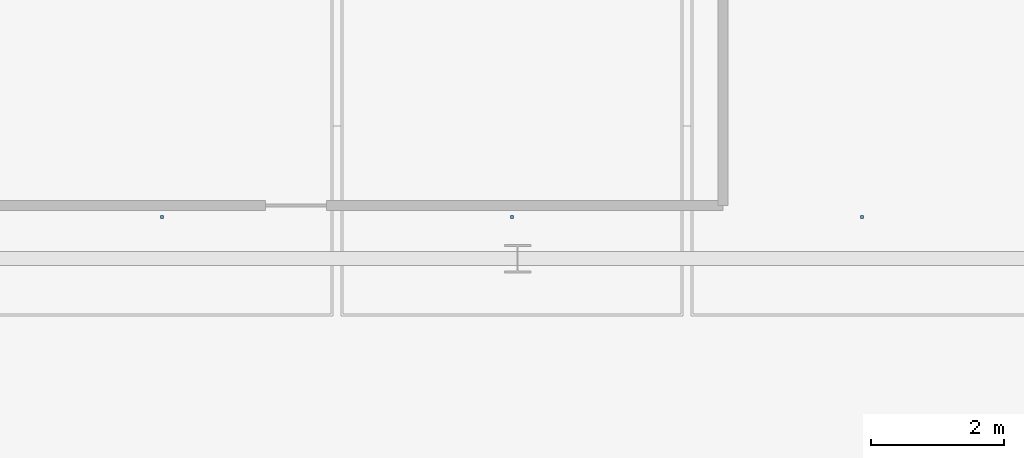
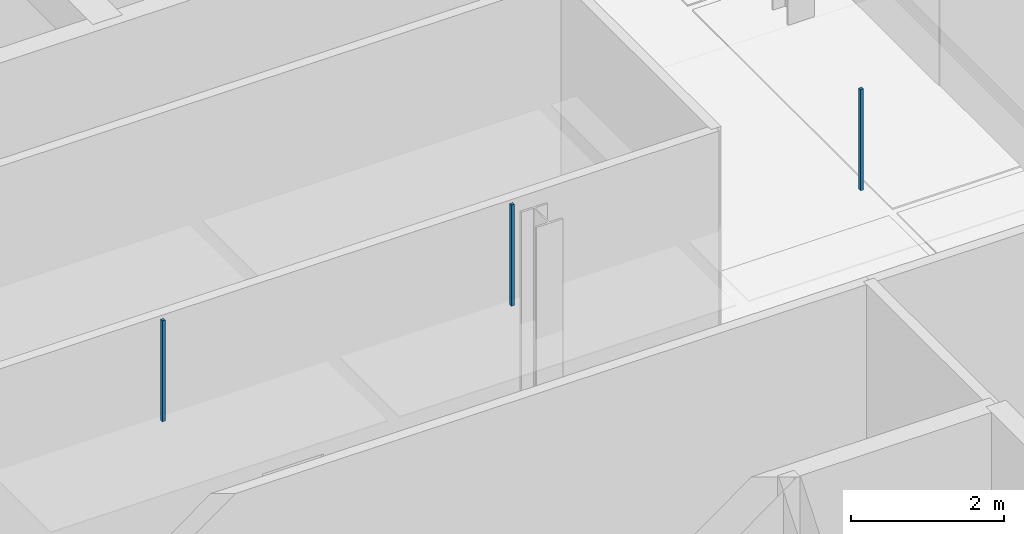
# One storey, part 137 of 180: 3 discrete accessories.
"""IFC4 building model written with IfcOpenShell, lengths in metres."""

import ifcopenshell
import ifcopenshell.guid

model = None  # the IFC model being written
_history = None  # IfcOwnerHistory: only IFC2X3 demands one
_inside = {}  # id of a spatial element -> (the spatial element, [elements in it])
_under = {}  # id of a project, library or spatial element -> (it, [spatial elements below it])
_declared = {}  # id of a project -> (the project, [libraries it declares])
_typed = {}  # id of a type object -> (the type object, [elements of that type])
_made_of = {}  # id of a material, layer set ... -> (it, [elements and type objects made of it])


def new_model(schema):
    """Start an empty IFC model of exactly this schema.

    Asked for "IFC4X3", IfcOpenShell would pick the latest addendum, in which some entities
    have other attributes; the version numbers below select the first issue.
    IFC2X3 requires an IfcOwnerHistory on every rooted entity: one is made here for all.
    """
    global model, _history
    if schema == "IFC4X3":
        model = ifcopenshell.file(schema_version=(4, 3, 0, 0))
    else:
        model = ifcopenshell.file(schema=schema)
    _inside.clear()
    _under.clear()
    _declared.clear()
    _typed.clear()
    _made_of.clear()
    _history = None
    if model.schema == "IFC2X3":
        org = make("IfcOrganization", Name="unknown")
        user = make(
            "IfcPersonAndOrganization",
            ThePerson=make("IfcPerson", FamilyName="unknown"),
            TheOrganization=org,
        )
        app = make(
            "IfcApplication",
            ApplicationDeveloper=org,
            Version="unknown",
            ApplicationFullName="unknown",
            ApplicationIdentifier="unknown",
        )
        _history = make(
            "IfcOwnerHistory",
            OwningUser=user,
            OwningApplication=app,
            ChangeAction="ADDED",
            CreationDate=0,
        )
    return model


def make(cls, **values):
    """One entity of the class cls with the attributes given. An attribute that is None is left unset."""
    return model.create_entity(
        cls, **{name: value for name, value in values.items() if value is not None}
    )


def rooted(cls, **values):
    """An entity with a GlobalId (a new one), such as an element, a storey or a relation."""
    return make(cls, GlobalId=ifcopenshell.guid.new(), OwnerHistory=_history, **values)


def si_unit(unit_type, name, prefix=None):
    """IfcSIUnit, for example si_unit("LENGTHUNIT", "METRE", prefix="MILLI")."""
    return make("IfcSIUnit", UnitType=unit_type, Prefix=prefix, Name=name)


def assignment(units):
    """IfcUnitAssignment: the units of a project."""
    return None if units is None else make("IfcUnitAssignment", Units=units)


def point(xyz):
    """IfcCartesianPoint."""
    return None if xyz is None else make("IfcCartesianPoint", Coordinates=xyz)


def direction(xyz):
    """IfcDirection."""
    return None if xyz is None else make("IfcDirection", DirectionRatios=xyz)


def frame(location, z_axis=None, x_axis=None):
    """IfcAxis2Placement3D, a coordinate frame: its origin and axes. An axis left out is left unset."""
    return make(
        "IfcAxis2Placement3D",
        Location=point(location),
        Axis=direction(z_axis),
        RefDirection=direction(x_axis),
    )


def frame_2d(location, x_axis=None):
    """IfcAxis2Placement2D, a coordinate frame in the plane: its origin and x axis."""
    return make(
        "IfcAxis2Placement2D", Location=point(location), RefDirection=direction(x_axis)
    )


def origin():
    """The frame at (0, 0, 0) with its axes left unset."""
    return frame((0.0, 0.0, 0.0))


def origin_2d():
    """The frame at (0, 0) in the plane with its x axis left unset."""
    return frame_2d((0.0, 0.0))


def place(relative_to, where):
    """IfcLocalPlacement: puts the frame where relative to a parent placement (None: the world)."""
    return make(
        "IfcLocalPlacement", PlacementRelTo=relative_to, RelativePlacement=where
    )


def context(
    kind, dimensions, precision=None, world=None, true_north=None, identifier=None
):
    """IfcGeometricRepresentationContext, for example the 3D "Model" context."""
    return make(
        "IfcGeometricRepresentationContext",
        ContextIdentifier=identifier,
        ContextType=kind,
        CoordinateSpaceDimension=dimensions,
        Precision=precision,
        WorldCoordinateSystem=world,
        TrueNorth=true_north,
    )


def subcontext(parent, identifier, kind, view, scale=None):
    """IfcGeometricRepresentationSubContext, for example "Body" below "Model"."""
    return make(
        "IfcGeometricRepresentationSubContext",
        ContextIdentifier=identifier,
        ContextType=kind,
        ParentContext=parent,
        TargetScale=scale,
        TargetView=view,
    )


def project(units=None, contexts=None):
    """IfcProject with its units and contexts."""
    return rooted(
        "IfcProject",
        Name="project",
        RepresentationContexts=contexts,
        UnitsInContext=assignment(units),
    )


def spatial(cls, under=None, at=None, **own):
    """A site, building, storey or space (cls), placed at a placement, below another one or the project."""
    s = rooted(cls, ObjectPlacement=at, **own)
    if under is not None:
        _under.setdefault(under.id(), (under, []))[1].append(s)
    return s


def profile(cls, at=None, kind="AREA", **sizes):
    """A parametric profile (cls). Its sizes go by their IFC names, for example OverallWidth=200.0."""
    return make(cls, ProfileType=kind, Position=at, **sizes)


def rectangle(**sizes):
    """IfcRectangleProfileDef."""
    return profile("IfcRectangleProfileDef", **sizes)


def extrude(swept, where, along, depth):
    """IfcExtrudedAreaSolid: the profile swept, set in the frame where, extruded along a direction by depth."""
    return make(
        "IfcExtrudedAreaSolid",
        SweptArea=swept,
        Position=where,
        ExtrudedDirection=direction(along),
        Depth=depth,
    )


def shape(context_of_items, identifier, shape_type, items):
    """IfcShapeRepresentation: the items that make up one representation, for example the "Body"."""
    return make(
        "IfcShapeRepresentation",
        ContextOfItems=context_of_items,
        RepresentationIdentifier=identifier,
        RepresentationType=shape_type,
        Items=items,
    )


def material(Name=None, Category=None):
    """IfcMaterial."""
    return make("IfcMaterial", Name=Name, Category=Category)


def made_of(thing, what):
    """Note that an element or type object is made of a material, layer set ...; save() writes the relation."""
    if what is not None:
        _made_of.setdefault(what.id(), (what, []))[1].append(thing)
    return thing


def type_object(cls, material=None, **own):
    """A type object (cls), such as IfcWallType, which elements share."""
    return made_of(rooted(cls, **own), material)


def element(
    cls,
    number,
    at=None,
    inside=None,
    cuts=None,
    type_object=None,
    material=None,
    context=None,
    identifier="Body",
    shape_type=None,
    held_by="IfcProductDefinitionShape",
    body=None,
    shapes=None,
    **own,
):
    """One element of the class cls, such as IfcWall. Its Tag is "e" and its number.

    at: its placement. inside: the storey or other place that contains it. cuts: it is an
    opening in that element (IfcRelVoidsElement). A single representation is given by context,
    identifier, shape_type and body (its items); several are given by shapes. held_by: the class
    of the entity that holds the representations. save() writes the other relations.
    """
    e = rooted(cls, Tag="e%d" % number, ObjectPlacement=at, **own)
    if body is not None:
        shapes = [shape(context, identifier, shape_type, body)]
    if shapes is not None:
        e.Representation = make(held_by, Representations=shapes)
    if inside is not None:
        _inside.setdefault(inside.id(), (inside, []))[1].append(e)
    if cuts is not None:
        rooted(
            "IfcRelVoidsElement", RelatingBuildingElement=cuts, RelatedOpeningElement=e
        )
    if type_object is not None:
        _typed.setdefault(type_object.id(), (type_object, []))[1].append(e)
    return made_of(e, material)


def aggregate(whole, parts):
    """IfcRelAggregates: a whole, such as a stair, and the parts it consists of."""
    return rooted("IfcRelAggregates", RelatingObject=whole, RelatedObjects=parts)


def save(model, path):
    """Write the relations noted so far, then the file.

    IfcRelAggregates (storeys below a building ...), IfcRelContainedInSpatialStructure (elements
    in a storey), IfcRelDefinesByType, IfcRelAssociatesMaterial and IfcRelDeclares: one each for
    every whole, place, type object, material and project.
    """
    for whole, parts in _under.values():
        aggregate(whole, parts)
    for where, things in _inside.values():
        rooted(
            "IfcRelContainedInSpatialStructure",
            RelatedElements=things,
            RelatingStructure=where,
        )
    for kind, things in _typed.values():
        rooted("IfcRelDefinesByType", RelatedObjects=things, RelatingType=kind)
    for what, things in _made_of.values():
        rooted("IfcRelAssociatesMaterial", RelatedObjects=things, RelatingMaterial=what)
    for by, libraries in _declared.values():
        rooted("IfcRelDeclares", RelatingContext=by, RelatedDefinitions=libraries)
    model.write(path)


model = new_model("IFC4")

# Units and contexts
model_context = context("Model", 3, precision=1e-05, world=origin(), true_north=direction((0.0, 1.0)))
body_context = subcontext(model_context, "Body", "Model", "MODEL_VIEW")
ifc_project = project(units=[si_unit("LENGTHUNIT", "METRE"), si_unit("AREAUNIT", "SQUARE_METRE"), si_unit("VOLUMEUNIT", "CUBIC_METRE"), si_unit("PLANEANGLEUNIT", "RADIAN"), si_unit("MASSUNIT", "GRAM", prefix="KILO"), si_unit("THERMODYNAMICTEMPERATUREUNIT", "KELVIN"), si_unit("POWERUNIT", "WATT")], contexts=[model_context])

# Site, building, storey
site_placement = place(None, origin())
site = spatial("IfcSite", under=ifc_project, at=site_placement, CompositionType="ELEMENT")
building_placement = place(site_placement, origin())
building = spatial("IfcBuilding", under=site, at=building_placement, Name="Tallowbark Science Centre", CompositionType="ELEMENT")
storey_placement = place(building_placement, origin())
storey = spatial("IfcBuildingStorey", under=building, at=storey_placement, Name="L00", CompositionType="ELEMENT", Elevation=0.0)

# Discrete accessories
ifc_material = material(Name="Galvanised Steel Grade C350L0 (350 MPa)", Category="steel")
discrete_accessory_type = type_object("IfcDiscreteAccessoryType", Name="ACC-CLG-HNG", PredefinedType="BRACKET", material=ifc_material)
for number, where, z_axis, x_axis, name in (
    (1, (116.138916015625, 90.630615234375, 3.60595703125), (0.0, 0.0, 1.0), (1.0, 0.0, 0.0), "Ceiling Hanger Bracket L00-421"),
    (2, (121.416748046875, 90.630615234375, 3.60595703125), (0.0, 0.0, 1.0), (1.0, 0.0, 0.0), "Ceiling Hanger Bracket L00-423"),
    (3, (126.6943359375, 90.630615234375, 3.60595703125), (0.0, 0.0, 1.0), (1.0, 0.0, 0.0), "Ceiling Hanger Bracket L00-425"),
):
    element("IfcDiscreteAccessory", number, at=place(storey_placement, frame(where, z_axis=z_axis, x_axis=x_axis)), inside=storey, type_object=discrete_accessory_type, Name=name, PredefinedType="BRACKET", context=body_context, shape_type="SweptSolid", body=[
        extrude(rectangle(XDim=0.044921875, YDim=0.044921875, at=origin_2d()), origin(), (0.0, 0.0, 1.0), 1.616943359375),
    ])

save(model, "model.ifc")
